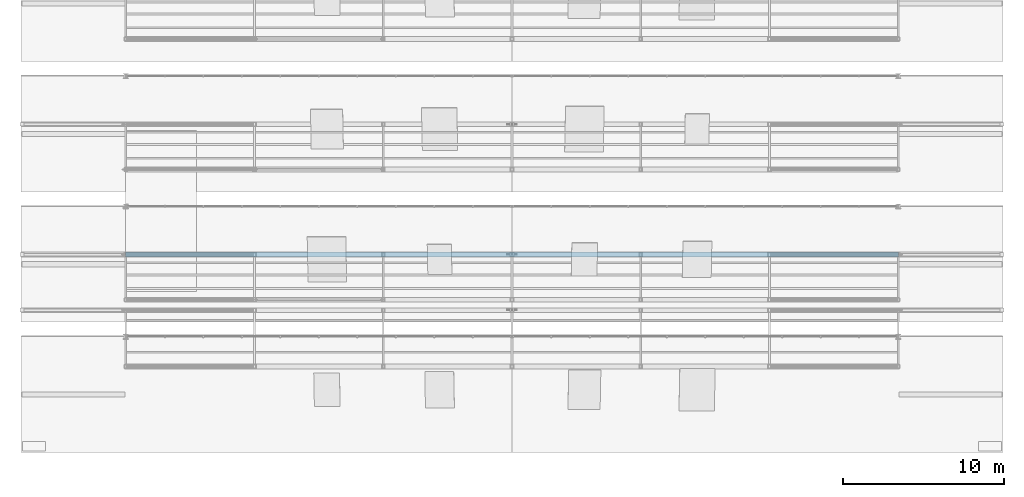
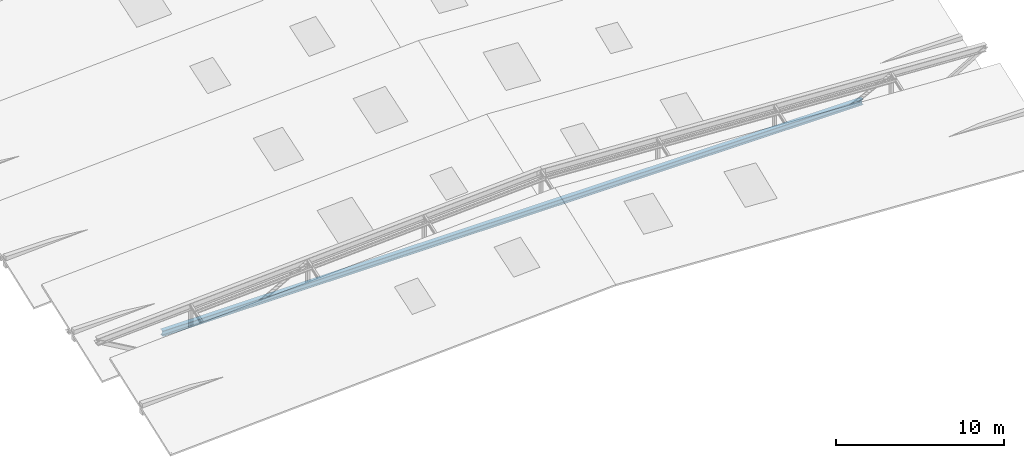
# One storey, part 21 of 141: 1 member.
"""IFC4 building model written with IfcOpenShell, lengths in metres."""

from ifc_helpers import new_model, si_unit, direction, frame, origin, origin_2d, place, context, subcontext, project, spatial, i_section, extrude, material, material_profile, profile_set, type_object, element, save


model = new_model("IFC4")

# Units and contexts
model_context = context("Model", 3, precision=1e-05, world=origin(), true_north=direction((0.0, 1.0)))
body_context = subcontext(model_context, "Body", "Model", "MODEL_VIEW")
ifc_project = project(units=[si_unit("LENGTHUNIT", "METRE"), si_unit("AREAUNIT", "SQUARE_METRE"), si_unit("VOLUMEUNIT", "CUBIC_METRE"), si_unit("PLANEANGLEUNIT", "RADIAN"), si_unit("MASSUNIT", "GRAM", prefix="KILO")], contexts=[model_context])

# Site, building, storey
site_placement = place(None, origin())
site = spatial("IfcSite", under=ifc_project, at=site_placement, CompositionType="ELEMENT")
building_placement = place(site_placement, origin())
building = spatial("IfcBuilding", under=site, at=building_placement, Name="Sundkrona Museum", CompositionType="ELEMENT")
storey_placement = place(building_placement, frame((0.0, 0.0, 34.0)))
storey = spatial("IfcBuildingStorey", under=building, at=storey_placement, Name="RF", CompositionType="ELEMENT", Elevation=34.0)

# Member
ifc_material = material(Name="Steel S355J2", Category="steel")
ifc_material_profile = material_profile(ifc_material, i_section(OverallWidth=0.300048828125, OverallDepth=0.39990234375, WebThickness=0.013427734375, FlangeThickness=0.02392578125, FilletRadius=0.027099609375, at=origin_2d()), Name="HEB 400")
ifc_profile_set = profile_set([ifc_material_profile], Name="Steel S355J2")
member_type = type_object("IfcMemberType", Name="TC-HEB400", PredefinedType="CHORD", material=ifc_profile_set)
member_placement = place(storey_placement, frame((120.0, 7.300048828125, -0.25), z_axis=(1.0, 0.0, 0.0), x_axis=(0.0, 1.0, 0.0)))
element("IfcMember", 1, at=member_placement, inside=storey, type_object=member_type, Name="RFS-1 Sawtooth Truss 2 Continuous Bottom Tie Chord", PredefinedType="CHORD", context=body_context, shape_type="SweptSolid", body=[
    extrude(i_section(OverallWidth=0.300048828125, OverallDepth=0.39990234375, WebThickness=0.013427734375, FlangeThickness=0.02392578125, FilletRadius=0.027099609375, at=origin_2d()), origin(), (0.0, 0.0, 1.0), 48.0),
])

save(model, "model.ifc")
